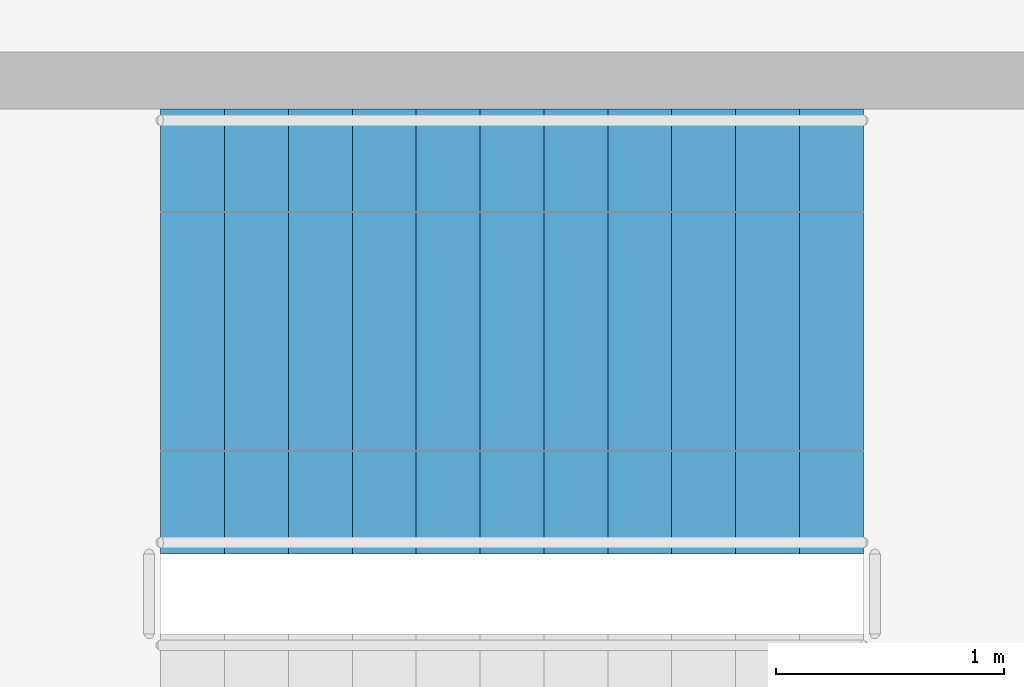
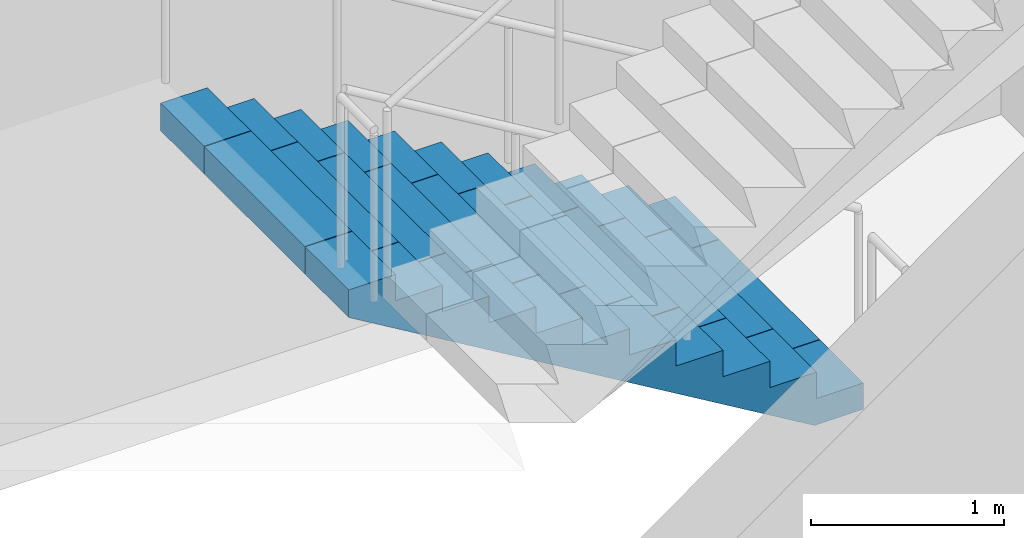
# One storey, part 13 of 15: 1 stair flight, 1 element without a shape of its own.
"""IFC4 building model written with IfcOpenShell, lengths in metres."""

from ifc_helpers import new_model, si_unit, direction, frame, origin, place, context, subcontext, project, spatial, polyline, outline, extrude, material, type_object, element, aggregate, save


model = new_model("IFC4")

# Units and contexts
model_context = context("Model", 3, precision=1e-05, world=origin(), true_north=direction((0.0, 1.0)))
body_context = subcontext(model_context, "Body", "Model", "MODEL_VIEW")
ifc_project = project(units=[si_unit("LENGTHUNIT", "METRE"), si_unit("AREAUNIT", "SQUARE_METRE"), si_unit("VOLUMEUNIT", "CUBIC_METRE"), si_unit("PLANEANGLEUNIT", "RADIAN"), si_unit("MASSUNIT", "GRAM", prefix="KILO")], contexts=[model_context])

# Site, building, storey
site_placement = place(None, origin())
site = spatial("IfcSite", under=ifc_project, at=site_placement, CompositionType="ELEMENT")
building_placement = place(site_placement, origin())
building = spatial("IfcBuilding", under=site, at=building_placement, Name="Corbelhall Arena Tower", CompositionType="ELEMENT")
storey_placement = place(building_placement, frame((0.0, 0.0, 188.0)))
storey = spatial("IfcBuildingStorey", under=building, at=storey_placement, Name="L38", CompositionType="ELEMENT", Elevation=188.0)

# Stair, stair flight
ifc_material = material(Name="Concrete C40/50", Category="concrete")
stair_type = type_object("IfcStairType", Name="IN-ST-TOWER", PredefinedType="HALF_TURN_STAIR", material=ifc_material)
stair_placement = place(storey_placement, origin())
stair = element("IfcStair", 1, at=stair_placement, inside=storey, type_object=stair_type, Name="L38 Exit stair ST3", PredefinedType="HALF_TURN_STAIR")
stair_flight_type = type_object("IfcStairFlightType", Name="IN-SFL-RC", PredefinedType="STRAIGHT", material=ifc_material)
stair_flight_placement = place(storey_placement, frame((11.425048828125, 15.699951171875, 0.0), z_axis=(0.0, 0.0, 1.0), x_axis=(-1.0, 0.0, 0.0)))
stair_flight = element("IfcStairFlight", 2, at=stair_flight_placement, type_object=stair_flight_type, Name="ST3 flight 1", NumberOfRisers=12, NumberOfTreads=11, PredefinedType="STRAIGHT", RiserHeight=0.166666667, TreadLength=0.28, context=body_context, shape_type="SweptSolid", body=[
    extrude(outline(polyline([(0.0, 0.0), (0.0, 0.166748046875), (0.280029296875, 0.166748046875), (0.280029296875, 0.333251953125), (0.56005859375, 0.333251953125), (0.56005859375, 0.5), (0.840087890625, 0.5), (0.840087890625, 0.666748046875), (1.1201171875, 0.666748046875), (1.1201171875, 0.833251953125), (1.39990234375, 0.833251953125), (1.39990234375, 1.0), (1.679931640625, 1.0), (1.679931640625, 1.166748046875), (1.9599609375, 1.166748046875), (1.9599609375, 1.333251953125), (2.239990234375, 1.333251953125), (2.239990234375, 1.5), (2.52001953125, 1.5), (2.52001953125, 1.666748046875), (2.800048828125, 1.666748046875), (2.800048828125, 1.833251953125), (3.080078125, 1.833251953125), (3.080078125, 2.0), (3.080078125, 1.658935546875), (0.29296875, 0.0), (0.0, 0.0)])), frame((0.0, 0.97509765625, 0.0), z_axis=(0.0, -1.0, 0.0), x_axis=(1.0, 0.0, 0.0)), (0.0, 0.0, 1.0), 0.449951171875),
    extrude(outline(polyline([(0.0, 0.0), (0.0, 0.166748046875), (0.280029296875, 0.166748046875), (0.280029296875, 0.333251953125), (0.56005859375, 0.333251953125), (0.56005859375, 0.5), (0.840087890625, 0.5), (0.840087890625, 0.666748046875), (1.1201171875, 0.666748046875), (1.1201171875, 0.833251953125), (1.39990234375, 0.833251953125), (1.39990234375, 1.0), (1.679931640625, 1.0), (1.679931640625, 1.166748046875), (1.9599609375, 1.166748046875), (1.9599609375, 1.333251953125), (2.239990234375, 1.333251953125), (2.239990234375, 1.5), (2.52001953125, 1.5), (2.52001953125, 1.666748046875), (2.800048828125, 1.666748046875), (2.800048828125, 1.833251953125), (3.080078125, 1.833251953125), (3.080078125, 2.0), (3.080078125, 1.658935546875), (0.29296875, 0.0), (0.0, 0.0)])), frame((0.0, 0.52099609375, 0.0), z_axis=(0.0, -1.0, 0.0), x_axis=(1.0, 0.0, 0.0)), (0.0, 0.0, 1.0), 1.0419921875),
    extrude(outline(polyline([(0.0, 0.0), (0.0, 0.166748046875), (0.280029296875, 0.166748046875), (0.280029296875, 0.333251953125), (0.56005859375, 0.333251953125), (0.56005859375, 0.5), (0.840087890625, 0.5), (0.840087890625, 0.666748046875), (1.1201171875, 0.666748046875), (1.1201171875, 0.833251953125), (1.39990234375, 0.833251953125), (1.39990234375, 1.0), (1.679931640625, 1.0), (1.679931640625, 1.166748046875), (1.9599609375, 1.166748046875), (1.9599609375, 1.333251953125), (2.239990234375, 1.333251953125), (2.239990234375, 1.5), (2.52001953125, 1.5), (2.52001953125, 1.666748046875), (2.800048828125, 1.666748046875), (2.800048828125, 1.833251953125), (3.080078125, 1.833251953125), (3.080078125, 2.0), (3.080078125, 1.658935546875), (0.29296875, 0.0), (0.0, 0.0)])), frame((0.0, -0.52490234375, 0.0), z_axis=(0.0, -1.0, 0.0), x_axis=(1.0, 0.0, 0.0)), (0.0, 0.0, 1.0), 0.449951171875),
])
aggregate(stair, [stair_flight])

save(model, "model.ifc")
